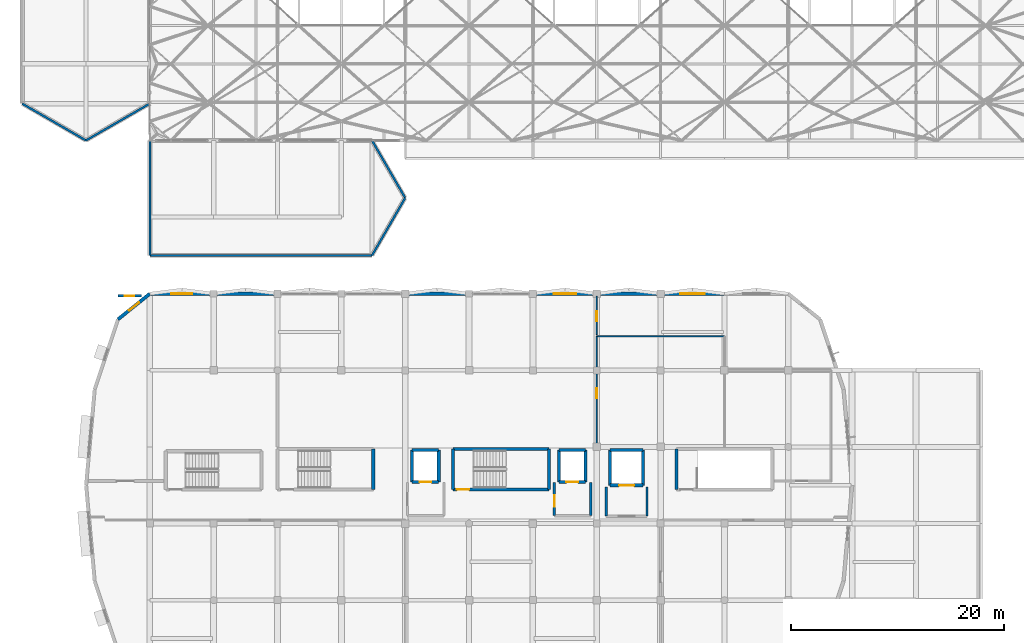
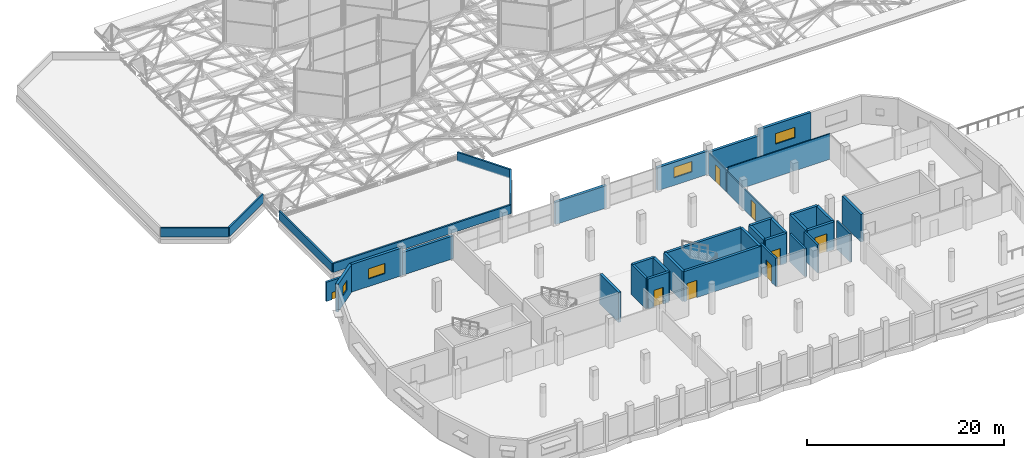
# One storey, part 227 of 239: 39 walls, 8 doors, 4 windows, 12 openings.
"""IFC4 building model written with IfcOpenShell, lengths in metres."""

import ifcopenshell
import ifcopenshell.guid

model = None  # the IFC model being written
_history = None  # IfcOwnerHistory: only IFC2X3 demands one
_inside = {}  # id of a spatial element -> (the spatial element, [elements in it])
_under = {}  # id of a project, library or spatial element -> (it, [spatial elements below it])
_declared = {}  # id of a project -> (the project, [libraries it declares])
_typed = {}  # id of a type object -> (the type object, [elements of that type])
_made_of = {}  # id of a material, layer set ... -> (it, [elements and type objects made of it])


def new_model(schema):
    """Start an empty IFC model of exactly this schema.

    Asked for "IFC4X3", IfcOpenShell would pick the latest addendum, in which some entities
    have other attributes; the version numbers below select the first issue.
    IFC2X3 requires an IfcOwnerHistory on every rooted entity: one is made here for all.
    """
    global model, _history
    if schema == "IFC4X3":
        model = ifcopenshell.file(schema_version=(4, 3, 0, 0))
    else:
        model = ifcopenshell.file(schema=schema)
    _inside.clear()
    _under.clear()
    _declared.clear()
    _typed.clear()
    _made_of.clear()
    _history = None
    if model.schema == "IFC2X3":
        org = make("IfcOrganization", Name="unknown")
        user = make(
            "IfcPersonAndOrganization",
            ThePerson=make("IfcPerson", FamilyName="unknown"),
            TheOrganization=org,
        )
        app = make(
            "IfcApplication",
            ApplicationDeveloper=org,
            Version="unknown",
            ApplicationFullName="unknown",
            ApplicationIdentifier="unknown",
        )
        _history = make(
            "IfcOwnerHistory",
            OwningUser=user,
            OwningApplication=app,
            ChangeAction="ADDED",
            CreationDate=0,
        )
    return model


def make(cls, **values):
    """One entity of the class cls with the attributes given. An attribute that is None is left unset."""
    return model.create_entity(
        cls, **{name: value for name, value in values.items() if value is not None}
    )


def rooted(cls, **values):
    """An entity with a GlobalId (a new one), such as an element, a storey or a relation."""
    return make(cls, GlobalId=ifcopenshell.guid.new(), OwnerHistory=_history, **values)


def si_unit(unit_type, name, prefix=None):
    """IfcSIUnit, for example si_unit("LENGTHUNIT", "METRE", prefix="MILLI")."""
    return make("IfcSIUnit", UnitType=unit_type, Prefix=prefix, Name=name)


def assignment(units):
    """IfcUnitAssignment: the units of a project."""
    return None if units is None else make("IfcUnitAssignment", Units=units)


def point(xyz):
    """IfcCartesianPoint."""
    return None if xyz is None else make("IfcCartesianPoint", Coordinates=xyz)


def direction(xyz):
    """IfcDirection."""
    return None if xyz is None else make("IfcDirection", DirectionRatios=xyz)


def frame(location, z_axis=None, x_axis=None):
    """IfcAxis2Placement3D, a coordinate frame: its origin and axes. An axis left out is left unset."""
    return make(
        "IfcAxis2Placement3D",
        Location=point(location),
        Axis=direction(z_axis),
        RefDirection=direction(x_axis),
    )


def frame_2d(location, x_axis=None):
    """IfcAxis2Placement2D, a coordinate frame in the plane: its origin and x axis."""
    return make(
        "IfcAxis2Placement2D", Location=point(location), RefDirection=direction(x_axis)
    )


def origin():
    """The frame at (0, 0, 0) with its axes left unset."""
    return frame((0.0, 0.0, 0.0))


def place(relative_to, where):
    """IfcLocalPlacement: puts the frame where relative to a parent placement (None: the world)."""
    return make(
        "IfcLocalPlacement", PlacementRelTo=relative_to, RelativePlacement=where
    )


def context(
    kind, dimensions, precision=None, world=None, true_north=None, identifier=None
):
    """IfcGeometricRepresentationContext, for example the 3D "Model" context."""
    return make(
        "IfcGeometricRepresentationContext",
        ContextIdentifier=identifier,
        ContextType=kind,
        CoordinateSpaceDimension=dimensions,
        Precision=precision,
        WorldCoordinateSystem=world,
        TrueNorth=true_north,
    )


def subcontext(parent, identifier, kind, view, scale=None):
    """IfcGeometricRepresentationSubContext, for example "Body" below "Model"."""
    return make(
        "IfcGeometricRepresentationSubContext",
        ContextIdentifier=identifier,
        ContextType=kind,
        ParentContext=parent,
        TargetScale=scale,
        TargetView=view,
    )


def project(units=None, contexts=None):
    """IfcProject with its units and contexts."""
    return rooted(
        "IfcProject",
        Name="project",
        RepresentationContexts=contexts,
        UnitsInContext=assignment(units),
    )


def spatial(cls, under=None, at=None, **own):
    """A site, building, storey or space (cls), placed at a placement, below another one or the project."""
    s = rooted(cls, ObjectPlacement=at, **own)
    if under is not None:
        _under.setdefault(under.id(), (under, []))[1].append(s)
    return s


def profile(cls, at=None, kind="AREA", **sizes):
    """A parametric profile (cls). Its sizes go by their IFC names, for example OverallWidth=200.0."""
    return make(cls, ProfileType=kind, Position=at, **sizes)


def rectangle(**sizes):
    """IfcRectangleProfileDef."""
    return profile("IfcRectangleProfileDef", **sizes)


def extrude(swept, where, along, depth):
    """IfcExtrudedAreaSolid: the profile swept, set in the frame where, extruded along a direction by depth."""
    return make(
        "IfcExtrudedAreaSolid",
        SweptArea=swept,
        Position=where,
        ExtrudedDirection=direction(along),
        Depth=depth,
    )


def shape(context_of_items, identifier, shape_type, items):
    """IfcShapeRepresentation: the items that make up one representation, for example the "Body"."""
    return make(
        "IfcShapeRepresentation",
        ContextOfItems=context_of_items,
        RepresentationIdentifier=identifier,
        RepresentationType=shape_type,
        Items=items,
    )


def material(Name=None, Category=None):
    """IfcMaterial."""
    return make("IfcMaterial", Name=Name, Category=Category)


def layer(
    of_material, thickness, ventilated=None, Name=None, Category=None, Priority=None
):
    """IfcMaterialLayer: one layer of a wall or slab, of a material (None: an air gap)."""
    return make(
        "IfcMaterialLayer",
        Material=of_material,
        LayerThickness=thickness,
        IsVentilated=ventilated,
        Name=Name,
        Category=Category,
        Priority=Priority,
    )


def layer_set(layers, Name=None):
    """IfcMaterialLayerSet."""
    return make("IfcMaterialLayerSet", MaterialLayers=layers, LayerSetName=Name)


def made_of(thing, what):
    """Note that an element or type object is made of a material, layer set ...; save() writes the relation."""
    if what is not None:
        _made_of.setdefault(what.id(), (what, []))[1].append(thing)
    return thing


def type_object(cls, material=None, **own):
    """A type object (cls), such as IfcWallType, which elements share."""
    return made_of(rooted(cls, **own), material)


def element(
    cls,
    number,
    at=None,
    inside=None,
    cuts=None,
    type_object=None,
    material=None,
    context=None,
    identifier="Body",
    shape_type=None,
    held_by="IfcProductDefinitionShape",
    body=None,
    shapes=None,
    **own,
):
    """One element of the class cls, such as IfcWall. Its Tag is "e" and its number.

    at: its placement. inside: the storey or other place that contains it. cuts: it is an
    opening in that element (IfcRelVoidsElement). A single representation is given by context,
    identifier, shape_type and body (its items); several are given by shapes. held_by: the class
    of the entity that holds the representations. save() writes the other relations.
    """
    e = rooted(cls, Tag="e%d" % number, ObjectPlacement=at, **own)
    if body is not None:
        shapes = [shape(context, identifier, shape_type, body)]
    if shapes is not None:
        e.Representation = make(held_by, Representations=shapes)
    if inside is not None:
        _inside.setdefault(inside.id(), (inside, []))[1].append(e)
    if cuts is not None:
        rooted(
            "IfcRelVoidsElement", RelatingBuildingElement=cuts, RelatedOpeningElement=e
        )
    if type_object is not None:
        _typed.setdefault(type_object.id(), (type_object, []))[1].append(e)
    return made_of(e, material)


def fill(opening, filler):
    """IfcRelFillsElement: the door or window that sits in an opening."""
    return rooted(
        "IfcRelFillsElement",
        RelatingOpeningElement=opening,
        RelatedBuildingElement=filler,
    )


def aggregate(whole, parts):
    """IfcRelAggregates: a whole, such as a stair, and the parts it consists of."""
    return rooted("IfcRelAggregates", RelatingObject=whole, RelatedObjects=parts)


def save(model, path):
    """Write the relations noted so far, then the file.

    IfcRelAggregates (storeys below a building ...), IfcRelContainedInSpatialStructure (elements
    in a storey), IfcRelDefinesByType, IfcRelAssociatesMaterial and IfcRelDeclares: one each for
    every whole, place, type object, material and project.
    """
    for whole, parts in _under.values():
        aggregate(whole, parts)
    for where, things in _inside.values():
        rooted(
            "IfcRelContainedInSpatialStructure",
            RelatedElements=things,
            RelatingStructure=where,
        )
    for kind, things in _typed.values():
        rooted("IfcRelDefinesByType", RelatedObjects=things, RelatingType=kind)
    for what, things in _made_of.values():
        rooted("IfcRelAssociatesMaterial", RelatedObjects=things, RelatingMaterial=what)
    for by, libraries in _declared.values():
        rooted("IfcRelDeclares", RelatingContext=by, RelatedDefinitions=libraries)
    model.write(path)


model = new_model("IFC4")

# Units and contexts
model_context = context("Model", 3, precision=1e-05, world=origin(), true_north=direction((0.0, 1.0)))
body_context = subcontext(model_context, "Body", "Model", "MODEL_VIEW")
ifc_project = project(units=[si_unit("LENGTHUNIT", "METRE"), si_unit("AREAUNIT", "SQUARE_METRE"), si_unit("VOLUMEUNIT", "CUBIC_METRE"), si_unit("PLANEANGLEUNIT", "RADIAN"), si_unit("MASSUNIT", "GRAM", prefix="KILO")], contexts=[model_context])

# Site, building, storey
site_placement = place(None, origin())
site = spatial("IfcSite", under=ifc_project, at=site_placement, CompositionType="ELEMENT")
building_placement = place(site_placement, origin())
building = spatial("IfcBuilding", under=site, at=building_placement, Name="Dunvalen Ferry Terminal", CompositionType="ELEMENT")
storey_placement = place(building_placement, frame((0.0, 0.0, 9.840087890625)))
storey = spatial("IfcBuildingStorey", under=building, at=storey_placement, Name="L02", CompositionType="ELEMENT", Elevation=9.840087890625)

# Wall, opening, door
ifc_material_1 = material(Name="Concrete C40/50", Category="concrete")
ifc_layer_1 = layer(ifc_material_1, 0.25, Name="Concrete C40/50")
ifc_layer_set_1 = layer_set([ifc_layer_1], Name="Concrete C40/50")
wall_type_1 = type_object("IfcWallType", Name="ENV-WL-OVR250", PredefinedType="SOLIDWALL", material=ifc_layer_set_1)
wall_1_placement = place(storey_placement, frame((9.0, 35.800048828125, 0.0), z_axis=(0.0, 0.0, 1.0), x_axis=(1.0, 0.0, 0.0)))
wall_1 = element("IfcWall", 1, at=wall_1_placement, inside=storey, type_object=wall_type_1, Name="L02 Marine Services Riser Bulkhead", PredefinedType="SOLIDWALL", context=body_context, shape_type="SweptSolid", body=[
    extrude(rectangle(XDim=2.199951171875, YDim=0.25, at=frame_2d((1.10009765625, 0.0))), origin(), (0.0, 0.0, 1.0), 2.39990234375),
])
opening_1_placement = place(wall_1_placement, frame((0.64990234375, 0.0, 0.0)))
opening_1 = element("IfcOpeningElement", 2, at=opening_1_placement, cuts=wall_1, Name="Opening TD-01", PredefinedType="OPENING", context=body_context, shape_type="SweptSolid", body=[
    extrude(rectangle(XDim=0.89990234375, YDim=0.89990234375, at=frame_2d((0.449951171875, 0.449951171875))), frame((0.0, 0.135009765625, 0.0), z_axis=(0.0, -1.0, 0.0), x_axis=(1.0, 0.0, 0.0)), (0.0, 0.0, 1.0), 0.27001953125),
])
ifc_material_2 = material(Name="Marine grade powder-coated aluminium and laminated glass", Category="aluminium")
door_type_1 = type_object("IfcDoorType", Name="ENV-DR-TRP-900", OperationType="SINGLE_SWING_LEFT", PredefinedType="TRAPDOOR", material=ifc_material_2)
door_1_placement = place(opening_1_placement, origin())
door_1 = element("IfcDoor", 3, at=door_1_placement, inside=storey, type_object=door_type_1, Name="L02 Riser Maintenance Access Trapdoor", OperationType="SINGLE_SWING_LEFT", OverallHeight=0.89990234375, OverallWidth=0.89990234375, PredefinedType="TRAPDOOR", context=body_context, shape_type="SweptSolid", body=[
    extrude(rectangle(XDim=0.89990234375, YDim=0.89990234375, at=frame_2d((0.449951171875, 0.449951171875))), frame((0.0, 0.02490234375, 0.0), z_axis=(0.0, -1.0, 0.0), x_axis=(1.0, 0.0, 0.0)), (0.0, 0.0, 1.0), 0.050048828125),
])
fill(opening_1, door_1)

# Walls
ifc_material_3 = material(Name="Precast concrete C40/50", Category="concrete")
ifc_layer_2 = layer(ifc_material_3, 0.199951171875, Name="Precast concrete C40/50")
ifc_layer_set_2 = layer_set([ifc_layer_2], Name="Precast concrete C40/50")
wall_type_2 = type_object("IfcWallType", Name="ENV-WL-PAR200", PredefinedType="PARAPET", material=ifc_layer_set_2)
for number, where, z_axis, x_axis, name in (
    (4, (6.0, 50.39990234375, 0.239990234375), (0.0, 0.0, 1.0), (0.866024796723, 0.500001051461, 0.0), "L02 V1AW Roof Parapet 01"),
    (5, (0.0, 53.864013671875, 0.239990234375), (0.0, 0.0, 1.0), (0.866024796723, -0.500001051461, 0.0), "L02 V1AW Roof Parapet 06"),
):
    element("IfcWall", number, at=place(storey_placement, frame(where, z_axis=z_axis, x_axis=x_axis)), inside=storey, type_object=wall_type_2, Name=name, PredefinedType="PARAPET", context=body_context, shape_type="SweptSolid", body=[
        extrude(rectangle(XDim=6.92822265625, YDim=0.199951171875, at=frame_2d((3.464111328125, 0.0))), origin(), (0.0, 0.0, 1.0), 1.099853515625),
    ])
wall_2_placement = place(storey_placement, frame((12.0, 39.60009765625, 0.239990234375), z_axis=(0.0, 0.0, 1.0), x_axis=(1.0, 0.0, 0.0)))
element("IfcWall", 6, at=wall_2_placement, inside=storey, type_object=wall_type_2, Name="L02 V1ASW Roof Parapet 01", PredefinedType="PARAPET", context=body_context, shape_type="SweptSolid", body=[
    extrude(rectangle(XDim=20.88232421875, YDim=0.199951171875, at=frame_2d((10.441162109375, 0.0))), origin(), (0.0, 0.0, 1.0), 1.099853515625),
])
for number, where, z_axis, x_axis, name in (
    (7, (32.88232421875, 39.60009765625, 0.239990234375), (0.0, 0.0, 1.0), (0.500004896655, 0.866022576681, 0.0), "L02 V1ASW Roof Parapet 02"),
    (8, (36.0, 45.0, 0.239990234375), (0.0, 0.0, 1.0), (-0.500004896655, 0.866022576681, 0.0), "L02 V1ASW Roof Parapet 03"),
):
    element("IfcWall", number, at=place(storey_placement, frame(where, z_axis=z_axis, x_axis=x_axis)), inside=storey, type_object=wall_type_2, Name=name, PredefinedType="PARAPET", context=body_context, shape_type="SweptSolid", body=[
        extrude(rectangle(XDim=6.2353515625, YDim=0.199951171875, at=frame_2d((3.11767578125, 0.0))), origin(), (0.0, 0.0, 1.0), 1.099853515625),
    ])
wall_3_placement = place(storey_placement, frame((12.0, 50.39990234375, 0.239990234375), z_axis=(0.0, 0.0, 1.0), x_axis=(0.0, -1.0, 0.0)))
element("IfcWall", 9, at=wall_3_placement, inside=storey, type_object=wall_type_2, Name="L02 V1ASW Roof Parapet 05", PredefinedType="PARAPET", context=body_context, shape_type="SweptSolid", body=[
    extrude(rectangle(XDim=10.7998046875, YDim=0.199951171875, at=frame_2d((5.39990234375, 0.0))), origin(), (0.0, 0.0, 1.0), 1.099853515625),
])

# Wall, opening, window
ifc_layer_3 = layer(ifc_material_3, 0.320068359375, Name="Precast concrete C40/50")
ifc_layer_set_3 = layer_set([ifc_layer_3], Name="Precast concrete C40/50")
wall_type_3 = type_object("IfcWallType", Name="ENV-WL-SPN320", PredefinedType="SOLIDWALL", material=ifc_layer_set_3)
wall_4_placement = place(storey_placement, frame((66.0, 36.0, 0.0), z_axis=(0.0, 0.0, 1.0), x_axis=(-1.0, 0.0, 0.0)))
wall_4 = element("IfcWall", 10, at=wall_4_placement, inside=storey, type_object=wall_type_3, Name="L02 Streamline Moderne Facade Wall 08.02", PredefinedType="SOLIDWALL", context=body_context, shape_type="SweptSolid", body=[
    extrude(rectangle(XDim=6.0, YDim=0.320068359375, at=frame_2d((3.0, 0.0))), origin(), (0.0, 0.0, 1.0), 3.43994140625),
])
opening_2_placement = place(wall_4_placement, frame((1.85009765625, 0.0, 0.949951171875)))
opening_2 = element("IfcOpeningElement", 11, at=opening_2_placement, cuts=wall_4, Name="Opening W-30", PredefinedType="OPENING", context=body_context, shape_type="SweptSolid", body=[
    extrude(rectangle(XDim=2.300048828125, YDim=1.300048828125, at=frame_2d((1.14990234375, 0.64990234375))), frame((0.0, 0.169921875, 0.0), z_axis=(0.0, -1.0, 0.0), x_axis=(1.0, 0.0, 0.0)), (0.0, 0.0, 1.0), 0.340087890625),
])
ifc_material_4 = material(Name="Thermally broken aluminium and double glazing", Category="aluminium")
window_type_1 = type_object("IfcWindowType", Name="ENV-WIN-RIB-30", PartitioningType="SINGLE_PANEL", PredefinedType="WINDOW", material=ifc_material_4)
window_1_placement = place(opening_2_placement, origin())
window_1 = element("IfcWindow", 12, at=window_1_placement, inside=storey, type_object=window_type_1, Name="L02 Streamline Ribbon Window 08.02", OverallHeight=1.300048828125, OverallWidth=2.300048828125, PartitioningType="SINGLE_PANEL", PredefinedType="WINDOW", context=body_context, shape_type="SweptSolid", body=[
    extrude(rectangle(XDim=2.300048828125, YDim=1.300048828125, at=frame_2d((1.14990234375, 0.64990234375))), frame((0.0, 0.030029296875, 0.0), z_axis=(0.0, -1.0, 0.0), x_axis=(1.0, 0.0, 0.0)), (0.0, 0.0, 1.0), 0.06005859375),
])
fill(opening_2, window_1)

# Wall
wall_5_placement = place(storey_placement, frame((60.0, 36.0, 0.0), z_axis=(0.0, 0.0, 1.0), x_axis=(-1.0, 0.0, 0.0)))
element("IfcWall", 13, at=wall_5_placement, inside=storey, type_object=wall_type_3, Name="L02 Streamline Moderne Facade Wall 08.03", PredefinedType="SOLIDWALL", context=body_context, shape_type="SweptSolid", body=[
    extrude(rectangle(XDim=6.0, YDim=0.320068359375, at=frame_2d((3.0, 0.0))), origin(), (0.0, 0.0, 1.0), 2.669921875),
])

# Wall, opening, window
wall_6_placement = place(storey_placement, frame((54.0, 36.0, 0.0), z_axis=(0.0, 0.0, 1.0), x_axis=(-1.0, 0.0, 0.0)))
wall_6 = element("IfcWall", 14, at=wall_6_placement, inside=storey, type_object=wall_type_3, Name="L02 Streamline Moderne Facade Wall 08.04", PredefinedType="SOLIDWALL", context=body_context, shape_type="SweptSolid", body=[
    extrude(rectangle(XDim=6.0, YDim=0.320068359375, at=frame_2d((3.0, 0.0))), origin(), (0.0, 0.0, 1.0), 2.869873046875),
])
opening_3_placement = place(wall_6_placement, frame((1.949951171875, 0.0, 0.949951171875)))
opening_3 = element("IfcOpeningElement", 15, at=opening_3_placement, cuts=wall_6, Name="Opening W-31", PredefinedType="OPENING", context=body_context, shape_type="SweptSolid", body=[
    extrude(rectangle(XDim=2.10009765625, YDim=1.300048828125, at=frame_2d((1.050048828125, 0.64990234375))), frame((0.0, 0.169921875, 0.0), z_axis=(0.0, -1.0, 0.0), x_axis=(1.0, 0.0, 0.0)), (0.0, 0.0, 1.0), 0.340087890625),
])
window_type_2 = type_object("IfcWindowType", Name="ENV-WIN-RIB-31", PartitioningType="SINGLE_PANEL", PredefinedType="WINDOW", material=ifc_material_4)
window_2_placement = place(opening_3_placement, origin())
window_2 = element("IfcWindow", 16, at=window_2_placement, inside=storey, type_object=window_type_2, Name="L02 Streamline Ribbon Window 08.04", OverallHeight=1.300048828125, OverallWidth=2.10009765625, PartitioningType="SINGLE_PANEL", PredefinedType="WINDOW", context=body_context, shape_type="SweptSolid", body=[
    extrude(rectangle(XDim=2.10009765625, YDim=1.300048828125, at=frame_2d((1.050048828125, 0.64990234375))), frame((0.0, 0.030029296875, 0.0), z_axis=(0.0, -1.0, 0.0), x_axis=(1.0, 0.0, 0.0)), (0.0, 0.0, 1.0), 0.06005859375),
])
fill(opening_3, window_2)

# Walls
wall_7_placement = place(storey_placement, frame((42.0, 36.0, 0.0), z_axis=(0.0, 0.0, 1.0), x_axis=(-1.0, 0.0, 0.0)))
element("IfcWall", 17, at=wall_7_placement, inside=storey, type_object=wall_type_3, Name="L02 Streamline Moderne Facade Wall 08.06", PredefinedType="SOLIDWALL", context=body_context, shape_type="SweptSolid", body=[
    extrude(rectangle(XDim=6.0, YDim=0.320068359375, at=frame_2d((3.0, 0.0))), origin(), (0.0, 0.0, 1.0), 2.77001953125),
])
wall_8_placement = place(storey_placement, frame((24.0, 36.0, 0.0), z_axis=(0.0, 0.0, 1.0), x_axis=(-1.0, 0.0, 0.0)))
element("IfcWall", 18, at=wall_8_placement, inside=storey, type_object=wall_type_3, Name="L02 Streamline Moderne Facade Wall 08.09", PredefinedType="SOLIDWALL", context=body_context, shape_type="SweptSolid", body=[
    extrude(rectangle(XDim=6.0, YDim=0.320068359375, at=frame_2d((3.0, 0.0))), origin(), (0.0, 0.0, 1.0), 2.81982421875),
])

# Wall, opening, window
wall_9_placement = place(storey_placement, frame((18.0, 36.0, 0.0), z_axis=(0.0, 0.0, 1.0), x_axis=(-1.0, 0.0, 0.0)))
wall_9 = element("IfcWall", 19, at=wall_9_placement, inside=storey, type_object=wall_type_3, Name="L02 Streamline Moderne Facade Wall 08.10", PredefinedType="SOLIDWALL", context=body_context, shape_type="SweptSolid", body=[
    extrude(rectangle(XDim=6.0, YDim=0.320068359375, at=frame_2d((3.0, 0.0))), origin(), (0.0, 0.0, 1.0), 3.43994140625),
])
opening_4_placement = place(wall_9_placement, frame((2.02490234375, 0.0, 0.949951171875)))
opening_4 = element("IfcOpeningElement", 20, at=opening_4_placement, cuts=wall_9, Name="Opening W-32", PredefinedType="OPENING", context=body_context, shape_type="SweptSolid", body=[
    extrude(rectangle(XDim=1.949951171875, YDim=1.25, at=frame_2d((0.97509765625, 0.625))), frame((0.0, 0.169921875, 0.0), z_axis=(0.0, -1.0, 0.0), x_axis=(1.0, 0.0, 0.0)), (0.0, 0.0, 1.0), 0.340087890625),
])
window_type_3 = type_object("IfcWindowType", Name="ENV-WIN-RIB-32", PartitioningType="SINGLE_PANEL", PredefinedType="WINDOW", material=ifc_material_4)
window_3_placement = place(opening_4_placement, origin())
window_3 = element("IfcWindow", 21, at=window_3_placement, inside=storey, type_object=window_type_3, Name="L02 Streamline Ribbon Window 08.10", OverallHeight=1.25, OverallWidth=1.949951171875, PartitioningType="SINGLE_PANEL", PredefinedType="WINDOW", context=body_context, shape_type="SweptSolid", body=[
    extrude(rectangle(XDim=1.949951171875, YDim=1.25, at=frame_2d((0.97509765625, 0.625))), frame((0.0, 0.030029296875, 0.0), z_axis=(0.0, -1.0, 0.0), x_axis=(1.0, 0.0, 0.0)), (0.0, 0.0, 1.0), 0.06005859375),
])
fill(opening_4, window_3)

wall_10_placement = place(storey_placement, frame((12.0, 36.0, 0.0), z_axis=(0.0, 0.0, 1.0), x_axis=(-0.779393889884, -0.626534248395, 0.0)))
wall_10 = element("IfcWall", 22, at=wall_10_placement, inside=storey, type_object=wall_type_3, Name="L02 Streamline Moderne Facade Wall 09.01", PredefinedType="SOLIDWALL", context=body_context, shape_type="SweptSolid", body=[
    extrude(rectangle(XDim=3.84912109375, YDim=0.320068359375, at=frame_2d((1.924560546875, 0.0))), origin(), (0.0, 0.0, 1.0), 3.43994140625),
])
opening_5_placement = place(wall_10_placement, frame((1.324462890625, 0.0, 1.14990234375)))
opening_5 = element("IfcOpeningElement", 23, at=opening_5_placement, cuts=wall_10, Name="Opening W-17", PredefinedType="OPENING", context=body_context, shape_type="SweptSolid", body=[
    extrude(rectangle(XDim=1.199951171875, YDim=1.199951171875, at=frame_2d((0.60009765625, 0.60009765625))), frame((0.0, 0.169921875, 0.0), z_axis=(0.0, -1.0, 0.0), x_axis=(1.0, 0.0, 0.0)), (0.0, 0.0, 1.0), 0.340087890625),
])
window_type_4 = type_object("IfcWindowType", Name="ENV-WIN-PRT-17", PartitioningType="SINGLE_PANEL", PredefinedType="WINDOW", material=ifc_material_4)
window_4_placement = place(opening_5_placement, origin())
window_4 = element("IfcWindow", 24, at=window_4_placement, inside=storey, type_object=window_type_4, Name="L02 Streamline Ribbon Window 09.01", OverallHeight=1.199951171875, OverallWidth=1.199951171875, PartitioningType="SINGLE_PANEL", PredefinedType="WINDOW", context=body_context, shape_type="SweptSolid", body=[
    extrude(rectangle(XDim=1.199951171875, YDim=1.199951171875, at=frame_2d((0.60009765625, 0.60009765625))), frame((0.0, 0.030029296875, 0.0), z_axis=(0.0, -1.0, 0.0), x_axis=(1.0, 0.0, 0.0)), (0.0, 0.0, 1.0), 0.06005859375),
])
fill(opening_5, window_4)

# Walls
ifc_material_5 = material(Name="Autoclaved aerated concrete blockwork", Category="masonry")
ifc_layer_4 = layer(ifc_material_5, 0.199951171875, Name="Autoclaved aerated concrete blockwork")
ifc_layer_set_4 = layer_set([ifc_layer_4], Name="Autoclaved aerated concrete blockwork")
wall_type_4 = type_object("IfcWallType", Name="INT-WL-CMP200", PredefinedType="PARTITIONING", material=ifc_layer_set_4)
for number, where, z_axis, x_axis, name in (
    (25, (54.889892578125, 17.860107421875, 0.0), (0.0, 0.0, 1.0), (0.0, -1.0, 0.0), "L02 L02 Lift Lobby LG-01 Partition 1"),
    (26, (58.7099609375, 15.090087890625, 0.0), (0.0, 0.0, 1.0), (0.0, 1.0, 0.0), "L02 L02 Lift Lobby LG-01 Partition 3"),
):
    element("IfcWall", number, at=place(storey_placement, frame(where, z_axis=z_axis, x_axis=x_axis)), inside=storey, type_object=wall_type_4, Name=name, PredefinedType="PARTITIONING", context=body_context, shape_type="SweptSolid", body=[
        extrude(rectangle(XDim=2.77001953125, YDim=0.199951171875, at=frame_2d((1.385009765625, 0.0))), origin(), (0.0, 0.0, 1.0), 3.47998046875),
    ])

# Wall, opening, door
ifc_material_6 = material(Name="Concrete C35/45", Category="concrete")
ifc_layer_5 = layer(ifc_material_6, 0.219970703125, Name="Concrete C35/45")
ifc_layer_set_5 = layer_set([ifc_layer_5], Name="Concrete C35/45")
wall_type_5 = type_object("IfcWallType", Name="INT-WL-CMP220", PredefinedType="SOLIDWALL", material=ifc_layer_set_5)
wall_11_placement = place(storey_placement, frame((50.02001953125, 18.25, 0.0), z_axis=(0.0, 0.0, 1.0), x_axis=(0.0, -1.0, 0.0)))
wall_11 = element("IfcWall", 27, at=wall_11_placement, inside=storey, type_object=wall_type_5, Name="L02 L02 Firefighting Lift Lobby LF-02 Partition 2", PredefinedType="SOLIDWALL", context=body_context, shape_type="SweptSolid", body=[
    extrude(rectangle(XDim=3.110107421875, YDim=0.219970703125, at=frame_2d((1.55517578125, 0.0))), origin(), (0.0, 0.0, 1.0), 3.47998046875),
])
opening_6_placement = place(wall_11_placement, frame((1.171142578125, 0.0, 0.0)))
opening_6 = element("IfcOpeningElement", 28, at=opening_6_placement, cuts=wall_11, Name="Opening ID-03", PredefinedType="OPENING", context=body_context, shape_type="SweptSolid", body=[
    extrude(rectangle(XDim=1.10009765625, YDim=2.14990234375, at=frame_2d((0.550048828125, 1.074951171875))), frame((0.0, 0.1201171875, 0.0), z_axis=(0.0, -1.0, 0.0), x_axis=(1.0, 0.0, 0.0)), (0.0, 0.0, 1.0), 0.239990234375),
])
ifc_material_7 = material(Name="Powder-coated steel fire door", Category="steel")
door_type_2 = type_object("IfcDoorType", Name="INT-DR-FFL-1100", OperationType="NOTDEFINED", PredefinedType="DOOR", material=ifc_material_7)
door_2_placement = place(opening_6_placement, origin())
door_2 = element("IfcDoor", 29, at=door_2_placement, inside=storey, type_object=door_type_2, Name="L02 Firefighting Lift Lobby LF-02 Door", OperationType="SINGLE_SWING_LEFT", OverallHeight=2.14990234375, OverallWidth=1.10009765625, PredefinedType="DOOR", context=body_context, shape_type="SweptSolid", body=[
    extrude(rectangle(XDim=1.10009765625, YDim=2.14990234375, at=frame_2d((0.550048828125, 1.074951171875))), frame((0.0, 0.02490234375, 0.0), z_axis=(0.0, -1.0, 0.0), x_axis=(1.0, 0.0, 0.0)), (0.0, 0.0, 1.0), 0.050048828125),
])
fill(opening_6, door_2)

# Walls
wall_12_placement = place(storey_placement, frame((53.43994140625, 15.139892578125, 0.0), z_axis=(0.0, 0.0, 1.0), x_axis=(0.0, 1.0, 0.0)))
element("IfcWall", 30, at=wall_12_placement, inside=storey, type_object=wall_type_5, Name="L02 L02 Firefighting Lift Lobby LF-02 Partition 4", PredefinedType="SOLIDWALL", context=body_context, shape_type="SweptSolid", body=[
    extrude(rectangle(XDim=3.110107421875, YDim=0.219970703125, at=frame_2d((1.55517578125, 0.0))), origin(), (0.0, 0.0, 1.0), 3.47998046875),
])
ifc_material_8 = material(Name="Metal-stud partition", Category="gypsum")
ifc_layer_6 = layer(ifc_material_8, 0.125, Name="Metal-stud partition")
ifc_layer_set_6 = layer_set([ifc_layer_6], Name="Metal-stud partition")
wall_type_6 = type_object("IfcWallType", Name="INT-WL-PRT125", PredefinedType="PARTITIONING", material=ifc_layer_set_6)
wall_13_placement = place(storey_placement, frame((66.0, 32.0, 0.0), z_axis=(0.0, 0.0, 1.0), x_axis=(-1.0, 0.0, 0.0)))
element("IfcWall", 31, at=wall_13_placement, inside=storey, type_object=wall_type_6, Name="L02 L02 Maritime Chart Room and Navigation Archive Partition 1", PredefinedType="PARTITIONING", context=body_context, shape_type="SweptSolid", body=[
    extrude(rectangle(XDim=12.0, YDim=0.125, at=frame_2d((6.0, 0.0))), origin(), (0.0, 0.0, 1.0), 3.159912109375),
])

# Wall, opening, door
wall_14_placement = place(storey_placement, frame((54.0, 32.0, 0.0), z_axis=(0.0, 0.0, 1.0), x_axis=(0.0, -1.0, 0.0)))
wall_14 = element("IfcWall", 32, at=wall_14_placement, inside=storey, type_object=wall_type_6, Name="L02 L02 Maritime Chart Room and Navigation Archive Partition 2", PredefinedType="PARTITIONING", context=body_context, shape_type="SweptSolid", body=[
    extrude(rectangle(XDim=10.39990234375, YDim=0.125, at=frame_2d((5.199951171875, 0.0))), origin(), (0.0, 0.0, 1.0), 2.619873046875),
])
opening_7_placement = place(wall_14_placement, frame((4.868408203125, 0.0, 0.0)))
opening_7 = element("IfcOpeningElement", 33, at=opening_7_placement, cuts=wall_14, Name="Opening ID-16", PredefinedType="OPENING", context=body_context, shape_type="SweptSolid", body=[
    extrude(rectangle(XDim=0.965087890625, YDim=2.110107421875, at=frame_2d((0.482421875, 1.05517578125))), frame((0.0, 0.072509765625, 0.0), z_axis=(0.0, -1.0, 0.0), x_axis=(1.0, 0.0, 0.0)), (0.0, 0.0, 1.0), 0.14501953125),
])
ifc_material_9 = material(Name="FSC European oak veneer door", Category="wood")
door_type_3 = type_object("IfcDoorType", Name="INT-DR-OFF-0965", OperationType="NOTDEFINED", PredefinedType="DOOR", material=ifc_material_9)
door_3_placement = place(opening_7_placement, origin())
door_3 = element("IfcDoor", 34, at=door_3_placement, inside=storey, type_object=door_type_3, Name="L02 Maritime Chart Room and Navigation Archive Door", OperationType="SINGLE_SWING_LEFT", OverallHeight=2.110107421875, OverallWidth=0.965087890625, PredefinedType="DOOR", context=body_context, shape_type="SweptSolid", body=[
    extrude(rectangle(XDim=0.965087890625, YDim=2.110107421875, at=frame_2d((0.482421875, 1.05517578125))), frame((0.0, 0.02490234375, 0.0), z_axis=(0.0, -1.0, 0.0), x_axis=(1.0, 0.0, 0.0)), (0.0, 0.0, 1.0), 0.050048828125),
])
fill(opening_7, door_3)

ifc_material_10 = material(Name="Lightweight acoustic partition", Category="gypsum")
ifc_layer_7 = layer(ifc_material_10, 0.1298828125, Name="Lightweight acoustic partition")
ifc_layer_set_7 = layer_set([ifc_layer_7], Name="Lightweight acoustic partition")
wall_type_7 = type_object("IfcWallType", Name="INT-WL-PRT130", PredefinedType="PARTITIONING", material=ifc_layer_set_7)
wall_15_placement = place(storey_placement, frame((54.0, 32.159912109375, 0.0), z_axis=(0.0, 0.0, 1.0), x_axis=(0.0, 1.0, 0.0)))
wall_15 = element("IfcWall", 35, at=wall_15_placement, inside=storey, type_object=wall_type_7, Name="L02 L02 Harbour Hydrography and Tug Coordination Room Partition 3", PredefinedType="PARTITIONING", context=body_context, shape_type="SweptSolid", body=[
    extrude(rectangle(XDim=3.6201171875, YDim=0.1298828125, at=frame_2d((1.81005859375, 0.0))), origin(), (0.0, 0.0, 1.0), 2.719970703125),
])
opening_8_placement = place(wall_15_placement, frame((1.258544921875, 0.0, 0.0)))
opening_8 = element("IfcOpeningElement", 36, at=opening_8_placement, cuts=wall_15, Name="Opening ID-12", PredefinedType="OPENING", context=body_context, shape_type="SweptSolid", body=[
    extrude(rectangle(XDim=0.949951171875, YDim=2.10009765625, at=frame_2d((0.47509765625, 1.050048828125))), frame((0.0, 0.074951171875, 0.0), z_axis=(0.0, -1.0, 0.0), x_axis=(1.0, 0.0, 0.0)), (0.0, 0.0, 1.0), 0.14990234375),
])
door_type_4 = type_object("IfcDoorType", Name="INT-DR-OFF-0950", OperationType="NOTDEFINED", PredefinedType="DOOR", material=ifc_material_9)
door_4_placement = place(opening_8_placement, origin())
door_4 = element("IfcDoor", 37, at=door_4_placement, inside=storey, type_object=door_type_4, Name="L02 Harbour Hydrography and Tug Coordination Room Door", OperationType="SINGLE_SWING_RIGHT", OverallHeight=2.10009765625, OverallWidth=0.949951171875, PredefinedType="DOOR", context=body_context, shape_type="SweptSolid", body=[
    extrude(rectangle(XDim=0.949951171875, YDim=2.10009765625, at=frame_2d((0.47509765625, 1.050048828125))), frame((0.0, 0.02490234375, 0.0), z_axis=(0.0, -1.0, 0.0), x_axis=(1.0, 0.0, 0.0)), (0.0, 0.0, 1.0), 0.050048828125),
])
fill(opening_8, door_4)

# Walls
ifc_layer_8 = layer(ifc_material_1, 0.300048828125, Name="Concrete C40/50")
ifc_layer_set_8 = layer_set([ifc_layer_8], Name="Concrete C40/50")
wall_type_8 = type_object("IfcWallType", Name="STR-WL-SHR300", PredefinedType="SHEAR", material=ifc_layer_set_8)
for number, where, z_axis, x_axis, name in (
    (38, (33.0, 17.60009765625, 0.0), (0.0, 0.0, 1.0), (0.0, 1.0, 0.0), "L02 ST1 Core East Shear Wall"),
    (39, (40.5, 17.60009765625, 0.0), (0.0, 0.0, 1.0), (0.0, 1.0, 0.0), "L02 ST2 Core West Shear Wall"),
    (40, (49.5, 17.60009765625, 0.0), (0.0, 0.0, 1.0), (0.0, 1.0, 0.0), "L02 ST2 Core East Shear Wall"),
):
    element("IfcWall", number, at=place(storey_placement, frame(where, z_axis=z_axis, x_axis=x_axis)), inside=storey, type_object=wall_type_8, Name=name, PredefinedType="SHEAR", context=body_context, shape_type="SweptSolid", body=[
        extrude(rectangle(XDim=3.7998046875, YDim=0.300048828125, at=frame_2d((1.89990234375, 0.0))), origin(), (0.0, 0.0, 1.0), 3.739990234375),
    ])
wall_16_placement = place(storey_placement, frame((61.5, 17.60009765625, 0.0), z_axis=(0.0, 0.0, 1.0), x_axis=(0.0, 1.0, 0.0)))
element("IfcWall", 41, at=wall_16_placement, inside=storey, type_object=wall_type_8, Name="L02 ST3 Core West Shear Wall", PredefinedType="SHEAR", context=body_context, shape_type="SweptSolid", body=[
    extrude(rectangle(XDim=3.7998046875, YDim=0.300048828125, at=frame_2d((1.89990234375, 0.0))), origin(), (0.0, 0.0, 1.0), 3.43994140625),
])
wall_17_placement = place(storey_placement, frame((40.5, 21.39990234375, 0.0), z_axis=(0.0, 0.0, 1.0), x_axis=(1.0, 0.0, 0.0)))
element("IfcWall", 42, at=wall_17_placement, inside=storey, type_object=wall_type_8, Name="L02 ST2 Core North Shear Wall", PredefinedType="SHEAR", context=body_context, shape_type="SweptSolid", body=[
    extrude(rectangle(XDim=9.0, YDim=0.300048828125, at=frame_2d((4.5, 0.0))), origin(), (0.0, 0.0, 1.0), 3.739990234375),
])

# Wall, opening, door
wall_18_placement = place(storey_placement, frame((40.5, 17.60009765625, 0.0), z_axis=(0.0, 0.0, 1.0), x_axis=(1.0, 0.0, 0.0)))
wall_18 = element("IfcWall", 43, at=wall_18_placement, inside=storey, type_object=wall_type_8, Name="L02 ST2 Core South Shear Wall", PredefinedType="SHEAR", context=body_context, shape_type="SweptSolid", body=[
    extrude(rectangle(XDim=9.0, YDim=0.300048828125, at=frame_2d((4.5, 0.0))), origin(), (0.0, 0.0, 1.0), 3.739990234375),
])
opening_9_placement = place(wall_18_placement, frame((0.35009765625, 0.0, 0.0)))
opening_9 = element("IfcOpeningElement", 44, at=opening_9_placement, cuts=wall_18, Name="Opening ID-02", PredefinedType="OPENING", context=body_context, shape_type="SweptSolid", body=[
    extrude(rectangle(XDim=1.14990234375, YDim=2.14990234375, at=frame_2d((0.574951171875, 1.074951171875))), frame((0.0, 0.16015625, 0.0), z_axis=(0.0, -1.0, 0.0), x_axis=(1.0, 0.0, 0.0)), (0.0, 0.0, 1.0), 0.320068359375),
])
door_type_5 = type_object("IfcDoorType", Name="INT-DR-STR-1150", OperationType="NOTDEFINED", PredefinedType="DOOR", material=ifc_material_7)
door_5_placement = place(opening_9_placement, frame((1.14990234375, 0.0, 0.0), z_axis=(0.0, 0.0, 1.0), x_axis=(-1.0, 0.0, 0.0)))
door_5 = element("IfcDoor", 45, at=door_5_placement, inside=storey, type_object=door_type_5, Name="L02 ST2 Escape Stair Fire Door", OperationType="SINGLE_SWING_RIGHT", OverallHeight=2.14990234375, OverallWidth=1.14990234375, PredefinedType="DOOR", context=body_context, shape_type="SweptSolid", body=[
    extrude(rectangle(XDim=1.14990234375, YDim=2.14990234375, at=frame_2d((0.574951171875, 1.074951171875))), frame((0.0, 0.02490234375, 0.0), z_axis=(0.0, -1.0, 0.0), x_axis=(1.0, 0.0, 0.0)), (0.0, 0.0, 1.0), 0.050048828125),
])
fill(opening_9, door_5)

wall_19_placement = place(storey_placement, frame((36.64990234375, 18.300048828125, 0.0), z_axis=(0.0, 0.0, 1.0), x_axis=(1.0, 0.0, 0.0)))
wall_19 = element("IfcWall", 46, at=wall_19_placement, inside=storey, type_object=wall_type_8, Name="L02 LF-01 Lift Shaft S Wall", PredefinedType="SHEAR", context=body_context, shape_type="SweptSolid", body=[
    extrude(rectangle(XDim=2.5, YDim=0.300048828125, at=frame_2d((1.25, 0.0))), origin(), (0.0, 0.0, 1.0), 3.739990234375),
])
opening_10_placement = place(wall_19_placement, frame((0.699951171875, 0.0, 0.0)))
opening_10 = element("IfcOpeningElement", 47, at=opening_10_placement, cuts=wall_19, Name="Opening LD-01", PredefinedType="OPENING", context=body_context, shape_type="SweptSolid", body=[
    extrude(rectangle(XDim=1.10009765625, YDim=2.10009765625, at=frame_2d((0.550048828125, 1.050048828125))), frame((0.0, 0.16015625, 0.0), z_axis=(0.0, -1.0, 0.0), x_axis=(1.0, 0.0, 0.0)), (0.0, 0.0, 1.0), 0.320068359375),
])
ifc_material_11 = material(Name="Brushed 316 stainless steel", Category="steel")
door_type_6 = type_object("IfcDoorType", Name="INT-DR-LFT-1100", OperationType="SLIDING_TO_LEFT", PredefinedType="DOOR", material=ifc_material_11)
door_6_placement = place(opening_10_placement, origin())
door_6 = element("IfcDoor", 48, at=door_6_placement, inside=storey, type_object=door_type_6, Name="L02 LF-01 Lift Sliding Landing Door", OperationType="SLIDING_TO_LEFT", OverallHeight=2.10009765625, OverallWidth=1.10009765625, PredefinedType="DOOR", context=body_context, shape_type="SweptSolid", body=[
    extrude(rectangle(XDim=1.10009765625, YDim=2.10009765625, at=frame_2d((0.550048828125, 1.050048828125))), frame((0.0, 0.02490234375, 0.0), z_axis=(0.0, -1.0, 0.0), x_axis=(1.0, 0.0, 0.0)), (0.0, 0.0, 1.0), 0.050048828125),
])
fill(opening_10, door_6)

# Walls
wall_20_placement = place(storey_placement, frame((36.64990234375, 21.300048828125, 0.0), z_axis=(0.0, 0.0, 1.0), x_axis=(1.0, 0.0, 0.0)))
element("IfcWall", 49, at=wall_20_placement, inside=storey, type_object=wall_type_8, Name="L02 LF-01 Lift Shaft N Wall", PredefinedType="SHEAR", context=body_context, shape_type="SweptSolid", body=[
    extrude(rectangle(XDim=2.5, YDim=0.300048828125, at=frame_2d((1.25, 0.0))), origin(), (0.0, 0.0, 1.0), 3.739990234375),
])
for number, where, z_axis, x_axis, name in (
    (50, (36.64990234375, 18.300048828125, 0.0), (0.0, 0.0, 1.0), (0.0, 1.0, 0.0), "L02 LF-01 Lift Shaft W Wall"),
    (51, (39.14990234375, 18.300048828125, 0.0), (0.0, 0.0, 1.0), (0.0, 1.0, 0.0), "L02 LF-01 Lift Shaft E Wall"),
):
    element("IfcWall", number, at=place(storey_placement, frame(where, z_axis=z_axis, x_axis=x_axis)), inside=storey, type_object=wall_type_8, Name=name, PredefinedType="SHEAR", context=body_context, shape_type="SweptSolid", body=[
        extrude(rectangle(XDim=3.0, YDim=0.300048828125, at=frame_2d((1.5, 0.0))), origin(), (0.0, 0.0, 1.0), 3.739990234375),
    ])

# Wall, opening, door
wall_21_placement = place(storey_placement, frame((50.449951171875, 18.300048828125, 0.0), z_axis=(0.0, 0.0, 1.0), x_axis=(1.0, 0.0, 0.0)))
wall_21 = element("IfcWall", 52, at=wall_21_placement, inside=storey, type_object=wall_type_8, Name="L02 LF-02 Lift Shaft S Wall", PredefinedType="SHEAR", context=body_context, shape_type="SweptSolid", body=[
    extrude(rectangle(XDim=2.5, YDim=0.300048828125, at=frame_2d((1.25, 0.0))), origin(), (0.0, 0.0, 1.0), 3.739990234375),
])
opening_11_placement = place(wall_21_placement, frame((0.699951171875, 0.0, 0.0)))
opening_11 = element("IfcOpeningElement", 53, at=opening_11_placement, cuts=wall_21, Name="Opening LD-01", PredefinedType="OPENING", context=body_context, shape_type="SweptSolid", body=[
    extrude(rectangle(XDim=1.10009765625, YDim=2.10009765625, at=frame_2d((0.550048828125, 1.050048828125))), frame((0.0, 0.16015625, 0.0), z_axis=(0.0, -1.0, 0.0), x_axis=(1.0, 0.0, 0.0)), (0.0, 0.0, 1.0), 0.320068359375),
])
door_7_placement = place(opening_11_placement, origin())
door_7 = element("IfcDoor", 54, at=door_7_placement, inside=storey, type_object=door_type_6, Name="L02 LF-02 Lift Sliding Landing Door", OperationType="SLIDING_TO_LEFT", OverallHeight=2.10009765625, OverallWidth=1.10009765625, PredefinedType="DOOR", context=body_context, shape_type="SweptSolid", body=[
    extrude(rectangle(XDim=1.10009765625, YDim=2.10009765625, at=frame_2d((0.550048828125, 1.050048828125))), frame((0.0, 0.02490234375, 0.0), z_axis=(0.0, -1.0, 0.0), x_axis=(1.0, 0.0, 0.0)), (0.0, 0.0, 1.0), 0.050048828125),
])
fill(opening_11, door_7)

# Walls
wall_22_placement = place(storey_placement, frame((50.449951171875, 21.300048828125, 0.0), z_axis=(0.0, 0.0, 1.0), x_axis=(1.0, 0.0, 0.0)))
element("IfcWall", 55, at=wall_22_placement, inside=storey, type_object=wall_type_8, Name="L02 LF-02 Lift Shaft N Wall", PredefinedType="SHEAR", context=body_context, shape_type="SweptSolid", body=[
    extrude(rectangle(XDim=2.5, YDim=0.300048828125, at=frame_2d((1.25, 0.0))), origin(), (0.0, 0.0, 1.0), 3.739990234375),
])
for number, where, z_axis, x_axis, name in (
    (56, (50.449951171875, 18.300048828125, 0.0), (0.0, 0.0, 1.0), (0.0, 1.0, 0.0), "L02 LF-02 Lift Shaft W Wall"),
    (57, (52.949951171875, 18.300048828125, 0.0), (0.0, 0.0, 1.0), (0.0, 1.0, 0.0), "L02 LF-02 Lift Shaft E Wall"),
):
    element("IfcWall", number, at=place(storey_placement, frame(where, z_axis=z_axis, x_axis=x_axis)), inside=storey, type_object=wall_type_8, Name=name, PredefinedType="SHEAR", context=body_context, shape_type="SweptSolid", body=[
        extrude(rectangle(XDim=3.0, YDim=0.300048828125, at=frame_2d((1.5, 0.0))), origin(), (0.0, 0.0, 1.0), 3.739990234375),
    ])

# Wall, opening, door
wall_23_placement = place(storey_placement, frame((55.25, 18.0, 0.0), z_axis=(0.0, 0.0, 1.0), x_axis=(1.0, 0.0, 0.0)))
wall_23 = element("IfcWall", 58, at=wall_23_placement, inside=storey, type_object=wall_type_8, Name="L02 LG-01 Lift Shaft S Wall", PredefinedType="SHEAR", context=body_context, shape_type="SweptSolid", body=[
    extrude(rectangle(XDim=3.10009765625, YDim=0.300048828125, at=frame_2d((1.550048828125, 0.0))), origin(), (0.0, 0.0, 1.0), 3.43994140625),
])
opening_12_placement = place(wall_23_placement, frame((0.85009765625, 0.0, 0.0)))
opening_12 = element("IfcOpeningElement", 59, at=opening_12_placement, cuts=wall_23, Name="Opening LD-03", PredefinedType="OPENING", context=body_context, shape_type="SweptSolid", body=[
    extrude(rectangle(XDim=1.39990234375, YDim=2.25, at=frame_2d((0.699951171875, 1.125))), frame((0.0, 0.16015625, 0.0), z_axis=(0.0, -1.0, 0.0), x_axis=(1.0, 0.0, 0.0)), (0.0, 0.0, 1.0), 0.320068359375),
])
door_type_7 = type_object("IfcDoorType", Name="INT-DR-LFT-1400", OperationType="SLIDING_TO_LEFT", PredefinedType="DOOR", material=ifc_material_11)
door_8_placement = place(opening_12_placement, origin())
door_8 = element("IfcDoor", 60, at=door_8_placement, inside=storey, type_object=door_type_7, Name="L02 LG-01 Lift Sliding Landing Door", OperationType="SLIDING_TO_LEFT", OverallHeight=2.25, OverallWidth=1.39990234375, PredefinedType="DOOR", context=body_context, shape_type="SweptSolid", body=[
    extrude(rectangle(XDim=1.39990234375, YDim=2.25, at=frame_2d((0.699951171875, 1.125))), frame((0.0, 0.02490234375, 0.0), z_axis=(0.0, -1.0, 0.0), x_axis=(1.0, 0.0, 0.0)), (0.0, 0.0, 1.0), 0.050048828125),
])
fill(opening_12, door_8)

# Walls
wall_24_placement = place(storey_placement, frame((55.25, 21.300048828125, 0.0), z_axis=(0.0, 0.0, 1.0), x_axis=(1.0, 0.0, 0.0)))
element("IfcWall", 61, at=wall_24_placement, inside=storey, type_object=wall_type_8, Name="L02 LG-01 Lift Shaft N Wall", PredefinedType="SHEAR", context=body_context, shape_type="SweptSolid", body=[
    extrude(rectangle(XDim=3.10009765625, YDim=0.300048828125, at=frame_2d((1.550048828125, 0.0))), origin(), (0.0, 0.0, 1.0), 3.43994140625),
])
for number, where, z_axis, x_axis, name in (
    (62, (55.25, 18.0, 0.0), (0.0, 0.0, 1.0), (0.0, 1.0, 0.0), "L02 LG-01 Lift Shaft W Wall"),
    (63, (58.35009765625, 18.0, 0.0), (0.0, 0.0, 1.0), (0.0, 1.0, 0.0), "L02 LG-01 Lift Shaft E Wall"),
):
    element("IfcWall", number, at=place(storey_placement, frame(where, z_axis=z_axis, x_axis=x_axis)), inside=storey, type_object=wall_type_8, Name=name, PredefinedType="SHEAR", context=body_context, shape_type="SweptSolid", body=[
        extrude(rectangle(XDim=3.300048828125, YDim=0.300048828125, at=frame_2d((1.64990234375, 0.0))), origin(), (0.0, 0.0, 1.0), 3.43994140625),
    ])

save(model, "model.ifc")
